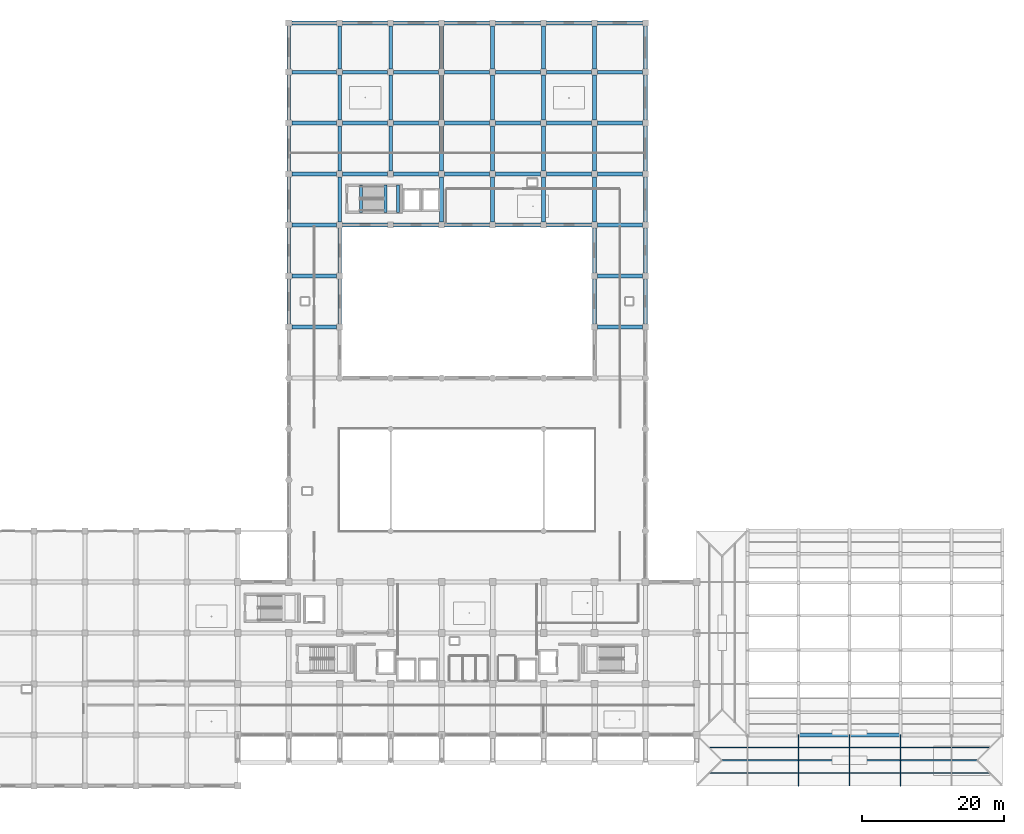
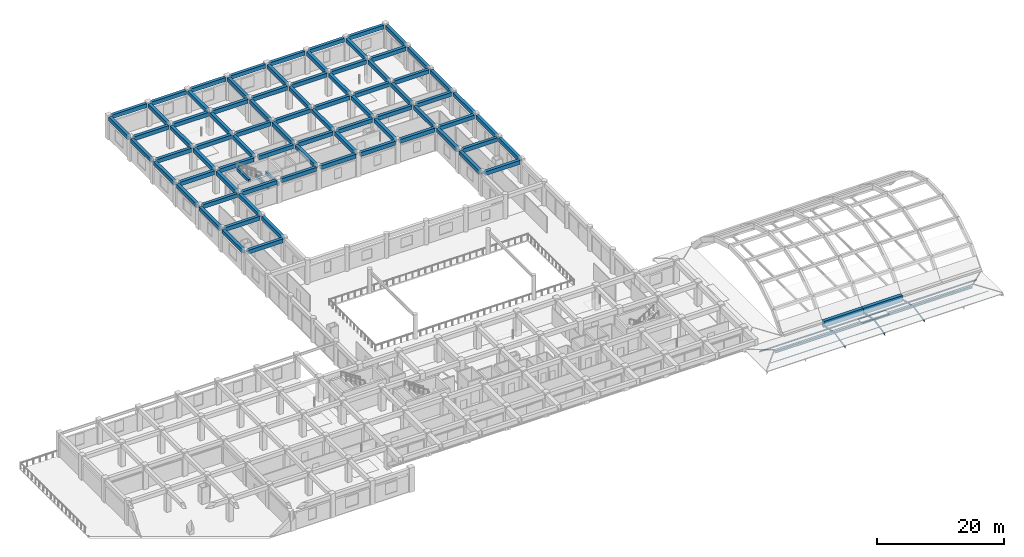
# One storey, part 28 of 54: 84 beams, 8 members.
"""IFC4 building model written with IfcOpenShell, lengths in metres."""

from ifc_helpers import new_model, si_unit, direction, frame, origin, origin_2d, place, context, subcontext, project, spatial, rectangle, hollow_circle, i_section, extrude, material, material_profile, profile_set, type_object, element, save


model = new_model("IFC4")

# Units and contexts
model_context = context("Model", 3, precision=1e-05, world=origin(), true_north=direction((0.0, 1.0)))
body_context = subcontext(model_context, "Body", "Model", "MODEL_VIEW")
ifc_project = project(units=[si_unit("LENGTHUNIT", "METRE"), si_unit("AREAUNIT", "SQUARE_METRE"), si_unit("VOLUMEUNIT", "CUBIC_METRE"), si_unit("PLANEANGLEUNIT", "RADIAN"), si_unit("MASSUNIT", "GRAM", prefix="KILO")], contexts=[model_context])

# Site, building, storey
site_placement = place(None, origin())
site = spatial("IfcSite", under=ifc_project, at=site_placement, CompositionType="ELEMENT")
building_placement = place(site_placement, origin())
building = spatial("IfcBuilding", under=site, at=building_placement, Name="Kazehaya Institute of Natural Sciences", CompositionType="ELEMENT")
storey_placement = place(building_placement, frame((0.0, 0.0, 10.43994140625)))
storey = spatial("IfcBuildingStorey", under=building, at=storey_placement, Name="L02", CompositionType="ELEMENT", Elevation=10.43994140625)

# Beams
ifc_material_1 = material(Name="Concrete Fc36", Category="concrete")
ifc_material_profile_1 = material_profile(ifc_material_1, rectangle(XDim=0.39990234375, YDim=0.60009765625, at=origin_2d()), Name="RC-400x600")
ifc_profile_set_1 = profile_set([ifc_material_profile_1], Name="Concrete Fc36")
beam_type_1 = type_object("IfcBeamType", Name="BM-B-400x600", PredefinedType="BEAM", material=ifc_profile_set_1)
for number, where, z_axis, x_axis, name in (
    (1, (72.0, 87.820068359375, 4.380126953125), (0.0, 1.0, 0.0), (-1.0, 0.0, 0.0), "L03 ST-3 stair header trimmer beam"),
    (2, (75.469970703125, 87.820068359375, 1.880126953125), (0.0, 1.0, 0.0), (-1.0, 0.0, 0.0), "L02 ST-3 landing beam 1"),
    (3, (77.25, 87.820068359375, 1.880126953125), (0.0, 1.0, 0.0), (-1.0, 0.0, 0.0), "L02 ST-3 landing beam 2"),
):
    element("IfcBeam", number, at=place(storey_placement, frame(where, z_axis=z_axis, x_axis=x_axis)), inside=storey, type_object=beam_type_1, Name=name, PredefinedType="BEAM", context=body_context, shape_type="SweptSolid", body=[
        extrude(rectangle(XDim=0.39990234375, YDim=0.60009765625, at=origin_2d()), origin(), (0.0, 0.0, 1.0), 3.83984375),
    ])
ifc_material_profile_2 = material_profile(ifc_material_1, rectangle(XDim=0.60009765625, YDim=1.199951171875, at=origin_2d()), Name="RC-600x1200")
ifc_profile_set_2 = profile_set([ifc_material_profile_2], Name="Concrete Fc36")
beam_type_2 = type_object("IfcBeamType", Name="BM-EB-600x1200", PredefinedType="BEAM", material=ifc_profile_set_2)
for number, where, z_axis, x_axis, name in (
    (4, (133.800048828125, 14.0, 0.0), (1.0, 0.0, 0.0), (0.0, 1.0, 0.0), "SH-VOL1 centroidal shell edge beam SH-VOL1-EB-S-2222"),
    (5, (141.0, 14.0, 0.0), (1.0, 0.0, 0.0), (0.0, 1.0, 0.0), "SH-VOL1 centroidal shell edge beam SH-VOL1-EB-S-2230"),
):
    element("IfcBeam", number, at=place(storey_placement, frame(where, z_axis=z_axis, x_axis=x_axis)), inside=storey, type_object=beam_type_2, Name=name, PredefinedType="BEAM", context=body_context, shape_type="SweptSolid", body=[
        extrude(rectangle(XDim=0.60009765625, YDim=1.199951171875, at=origin_2d()), origin(), (0.0, 0.0, 1.0), 7.199951171875),
    ])
ifc_material_profile_3 = material_profile(ifc_material_1, rectangle(XDim=0.550048828125, YDim=0.75, at=origin_2d()), Name="RC-550x750")
ifc_profile_set_3 = profile_set([ifc_material_profile_3], Name="Concrete Fc36")
beam_type_3 = type_object("IfcBeamType", Name="BM-G-550x750", PredefinedType="BEAM", material=ifc_profile_set_3)
for number, where, z_axis, x_axis, name in (
    (6, (62.22509765625, 71.60009765625, 4.03515625), (1.0, 0.0, 0.0), (0.0, 1.0, 0.0), "L02 primary X girder BMX-L02-618-716"),
    (7, (105.425048828125, 71.60009765625, 4.03515625), (1.0, 0.0, 0.0), (0.0, 1.0, 0.0), "L02 primary X girder BMX-L02-1050-716"),
    (8, (62.22509765625, 78.800048828125, 4.03515625), (1.0, 0.0, 0.0), (0.0, 1.0, 0.0), "L02 primary X girder BMX-L02-618-788"),
    (9, (105.425048828125, 78.800048828125, 4.03515625), (1.0, 0.0, 0.0), (0.0, 1.0, 0.0), "L02 primary X girder BMX-L02-1050-788"),
    (10, (62.22509765625, 86.0, 4.03515625), (1.0, 0.0, 0.0), (0.0, 1.0, 0.0), "L02 primary X girder BMX-L02-618-860"),
    (11, (69.425048828125, 86.0, 4.03515625), (1.0, 0.0, 0.0), (0.0, 1.0, 0.0), "L02 primary X girder BMX-L02-690-860"),
):
    element("IfcBeam", number, at=place(storey_placement, frame(where, z_axis=z_axis, x_axis=x_axis)), inside=storey, type_object=beam_type_3, Name=name, PredefinedType="BEAM", context=body_context, shape_type="SweptSolid", body=[
        extrude(rectangle(XDim=0.550048828125, YDim=0.75, at=origin_2d()), origin(), (0.0, 0.0, 1.0), 6.349853515625),
    ])
for number, where, z_axis, x_axis, name in (
    (12, (76.625, 86.0, 4.03515625), (1.0, 0.0, 0.0), (0.0, 1.0, 0.0), "L02 primary X girder BMX-L02-762-860"),
    (13, (83.824951171875, 86.0, 4.03515625), (1.0, 0.0, 0.0), (0.0, 1.0, 0.0), "L02 primary X girder BMX-L02-834-860"),
    (14, (91.02490234375, 86.0, 4.03515625), (1.0, 0.0, 0.0), (0.0, 1.0, 0.0), "L02 primary X girder BMX-L02-906-860"),
):
    element("IfcBeam", number, at=place(storey_placement, frame(where, z_axis=z_axis, x_axis=x_axis)), inside=storey, type_object=beam_type_3, Name=name, PredefinedType="BEAM", context=body_context, shape_type="SweptSolid", body=[
        extrude(rectangle(XDim=0.550048828125, YDim=0.75, at=origin_2d()), origin(), (0.0, 0.0, 1.0), 6.35009765625),
    ])
for number, where, z_axis, x_axis, name in (
    (15, (98.22509765625, 86.0, 4.03515625), (1.0, 0.0, 0.0), (0.0, 1.0, 0.0), "L02 primary X girder BMX-L02-978-860"),
    (16, (105.425048828125, 86.0, 4.03515625), (1.0, 0.0, 0.0), (0.0, 1.0, 0.0), "L02 primary X girder BMX-L02-1050-860"),
    (17, (62.22509765625, 93.199951171875, 4.03515625), (1.0, 0.0, 0.0), (0.0, 1.0, 0.0), "L02 primary X girder BMX-L02-618-932"),
    (18, (69.425048828125, 93.199951171875, 4.03515625), (1.0, 0.0, 0.0), (0.0, 1.0, 0.0), "L02 primary X girder BMX-L02-690-932"),
):
    element("IfcBeam", number, at=place(storey_placement, frame(where, z_axis=z_axis, x_axis=x_axis)), inside=storey, type_object=beam_type_3, Name=name, PredefinedType="BEAM", context=body_context, shape_type="SweptSolid", body=[
        extrude(rectangle(XDim=0.550048828125, YDim=0.75, at=origin_2d()), origin(), (0.0, 0.0, 1.0), 6.349853515625),
    ])
for number, where, z_axis, x_axis, name in (
    (19, (76.625, 93.199951171875, 4.03515625), (1.0, 0.0, 0.0), (0.0, 1.0, 0.0), "L02 primary X girder BMX-L02-762-932"),
    (20, (83.824951171875, 93.199951171875, 4.03515625), (1.0, 0.0, 0.0), (0.0, 1.0, 0.0), "L02 primary X girder BMX-L02-834-932"),
    (21, (91.02490234375, 93.199951171875, 4.03515625), (1.0, 0.0, 0.0), (0.0, 1.0, 0.0), "L02 primary X girder BMX-L02-906-932"),
):
    element("IfcBeam", number, at=place(storey_placement, frame(where, z_axis=z_axis, x_axis=x_axis)), inside=storey, type_object=beam_type_3, Name=name, PredefinedType="BEAM", context=body_context, shape_type="SweptSolid", body=[
        extrude(rectangle(XDim=0.550048828125, YDim=0.75, at=origin_2d()), origin(), (0.0, 0.0, 1.0), 6.35009765625),
    ])
for number, where, z_axis, x_axis, name in (
    (22, (98.22509765625, 93.199951171875, 4.03515625), (1.0, 0.0, 0.0), (0.0, 1.0, 0.0), "L02 primary X girder BMX-L02-978-932"),
    (23, (105.425048828125, 93.199951171875, 4.03515625), (1.0, 0.0, 0.0), (0.0, 1.0, 0.0), "L02 primary X girder BMX-L02-1050-932"),
    (24, (62.22509765625, 100.39990234375, 4.03515625), (1.0, 0.0, 0.0), (0.0, 1.0, 0.0), "L02 primary X girder BMX-L02-618-1004"),
    (25, (69.425048828125, 100.39990234375, 4.03515625), (1.0, 0.0, 0.0), (0.0, 1.0, 0.0), "L02 primary X girder BMX-L02-690-1004"),
):
    element("IfcBeam", number, at=place(storey_placement, frame(where, z_axis=z_axis, x_axis=x_axis)), inside=storey, type_object=beam_type_3, Name=name, PredefinedType="BEAM", context=body_context, shape_type="SweptSolid", body=[
        extrude(rectangle(XDim=0.550048828125, YDim=0.75, at=origin_2d()), origin(), (0.0, 0.0, 1.0), 6.349853515625),
    ])
for number, where, z_axis, x_axis, name in (
    (26, (76.625, 100.39990234375, 4.03515625), (1.0, 0.0, 0.0), (0.0, 1.0, 0.0), "L02 primary X girder BMX-L02-762-1004"),
    (27, (83.824951171875, 100.39990234375, 4.03515625), (1.0, 0.0, 0.0), (0.0, 1.0, 0.0), "L02 primary X girder BMX-L02-834-1004"),
    (28, (91.02490234375, 100.39990234375, 4.03515625), (1.0, 0.0, 0.0), (0.0, 1.0, 0.0), "L02 primary X girder BMX-L02-906-1004"),
):
    element("IfcBeam", number, at=place(storey_placement, frame(where, z_axis=z_axis, x_axis=x_axis)), inside=storey, type_object=beam_type_3, Name=name, PredefinedType="BEAM", context=body_context, shape_type="SweptSolid", body=[
        extrude(rectangle(XDim=0.550048828125, YDim=0.75, at=origin_2d()), origin(), (0.0, 0.0, 1.0), 6.35009765625),
    ])
for number, where, z_axis, x_axis, name in (
    (29, (98.22509765625, 100.39990234375, 4.03515625), (1.0, 0.0, 0.0), (0.0, 1.0, 0.0), "L02 primary X girder BMX-L02-978-1004"),
    (30, (105.425048828125, 100.39990234375, 4.03515625), (1.0, 0.0, 0.0), (0.0, 1.0, 0.0), "L02 primary X girder BMX-L02-1050-1004"),
    (31, (62.22509765625, 107.60009765625, 4.03515625), (1.0, 0.0, 0.0), (0.0, 1.0, 0.0), "L02 primary X girder BMX-L02-618-1076"),
    (32, (69.425048828125, 107.60009765625, 4.03515625), (1.0, 0.0, 0.0), (0.0, 1.0, 0.0), "L02 primary X girder BMX-L02-690-1076"),
):
    element("IfcBeam", number, at=place(storey_placement, frame(where, z_axis=z_axis, x_axis=x_axis)), inside=storey, type_object=beam_type_3, Name=name, PredefinedType="BEAM", context=body_context, shape_type="SweptSolid", body=[
        extrude(rectangle(XDim=0.550048828125, YDim=0.75, at=origin_2d()), origin(), (0.0, 0.0, 1.0), 6.349853515625),
    ])
for number, where, z_axis, x_axis, name in (
    (33, (76.625, 107.60009765625, 4.03515625), (1.0, 0.0, 0.0), (0.0, 1.0, 0.0), "L02 primary X girder BMX-L02-762-1076"),
    (34, (83.824951171875, 107.60009765625, 4.03515625), (1.0, 0.0, 0.0), (0.0, 1.0, 0.0), "L02 primary X girder BMX-L02-834-1076"),
    (35, (91.02490234375, 107.60009765625, 4.03515625), (1.0, 0.0, 0.0), (0.0, 1.0, 0.0), "L02 primary X girder BMX-L02-906-1076"),
):
    element("IfcBeam", number, at=place(storey_placement, frame(where, z_axis=z_axis, x_axis=x_axis)), inside=storey, type_object=beam_type_3, Name=name, PredefinedType="BEAM", context=body_context, shape_type="SweptSolid", body=[
        extrude(rectangle(XDim=0.550048828125, YDim=0.75, at=origin_2d()), origin(), (0.0, 0.0, 1.0), 6.35009765625),
    ])
for number, where, z_axis, x_axis, name in (
    (36, (98.22509765625, 107.60009765625, 4.03515625), (1.0, 0.0, 0.0), (0.0, 1.0, 0.0), "L02 primary X girder BMX-L02-978-1076"),
    (37, (105.425048828125, 107.60009765625, 4.03515625), (1.0, 0.0, 0.0), (0.0, 1.0, 0.0), "L02 primary X girder BMX-L02-1050-1076"),
    (38, (62.22509765625, 114.550048828125, 4.03515625), (1.0, 0.0, 0.0), (0.0, 1.0, 0.0), "L02 primary X girder BMX-L02-618-1146"),
    (39, (69.425048828125, 114.550048828125, 4.03515625), (1.0, 0.0, 0.0), (0.0, 1.0, 0.0), "L02 primary X girder BMX-L02-690-1146"),
):
    element("IfcBeam", number, at=place(storey_placement, frame(where, z_axis=z_axis, x_axis=x_axis)), inside=storey, type_object=beam_type_3, Name=name, PredefinedType="BEAM", context=body_context, shape_type="SweptSolid", body=[
        extrude(rectangle(XDim=0.550048828125, YDim=0.75, at=origin_2d()), origin(), (0.0, 0.0, 1.0), 6.349853515625),
    ])
for number, where, z_axis, x_axis, name in (
    (40, (76.625, 114.550048828125, 4.03515625), (1.0, 0.0, 0.0), (0.0, 1.0, 0.0), "L02 primary X girder BMX-L02-762-1146"),
    (41, (83.824951171875, 114.550048828125, 4.03515625), (1.0, 0.0, 0.0), (0.0, 1.0, 0.0), "L02 primary X girder BMX-L02-834-1146"),
    (42, (91.02490234375, 114.550048828125, 4.03515625), (1.0, 0.0, 0.0), (0.0, 1.0, 0.0), "L02 primary X girder BMX-L02-906-1146"),
):
    element("IfcBeam", number, at=place(storey_placement, frame(where, z_axis=z_axis, x_axis=x_axis)), inside=storey, type_object=beam_type_3, Name=name, PredefinedType="BEAM", context=body_context, shape_type="SweptSolid", body=[
        extrude(rectangle(XDim=0.550048828125, YDim=0.75, at=origin_2d()), origin(), (0.0, 0.0, 1.0), 6.35009765625),
    ])
for number, where, z_axis, x_axis, name in (
    (43, (98.22509765625, 114.550048828125, 4.03515625), (1.0, 0.0, 0.0), (0.0, 1.0, 0.0), "L02 primary X girder BMX-L02-978-1146"),
    (44, (105.425048828125, 114.550048828125, 4.03515625), (1.0, 0.0, 0.0), (0.0, 1.0, 0.0), "L02 primary X girder BMX-L02-1050-1146"),
):
    element("IfcBeam", number, at=place(storey_placement, frame(where, z_axis=z_axis, x_axis=x_axis)), inside=storey, type_object=beam_type_3, Name=name, PredefinedType="BEAM", context=body_context, shape_type="SweptSolid", body=[
        extrude(rectangle(XDim=0.550048828125, YDim=0.75, at=origin_2d()), origin(), (0.0, 0.0, 1.0), 6.349853515625),
    ])
beam_1_placement = place(storey_placement, frame((61.800048828125, 72.02490234375, 4.03515625), z_axis=(0.0, 1.0, 0.0), x_axis=(-1.0, 0.0, 0.0)))
element("IfcBeam", 45, at=beam_1_placement, inside=storey, type_object=beam_type_3, Name="L02 primary Y girder BMY-L02-618-716", PredefinedType="BEAM", context=body_context, shape_type="SweptSolid", body=[
    extrude(rectangle(XDim=0.550048828125, YDim=0.75, at=origin_2d()), origin(), (0.0, 0.0, 1.0), 6.35009765625),
])
for number, where, z_axis, x_axis, name in (
    (46, (61.800048828125, 79.22509765625, 4.03515625), (0.0, 1.0, 0.0), (-1.0, 0.0, 0.0), "L02 primary Y girder BMY-L02-618-788"),
    (47, (61.800048828125, 86.425048828125, 4.03515625), (0.0, 1.0, 0.0), (-1.0, 0.0, 0.0), "L02 primary Y girder BMY-L02-618-860"),
):
    element("IfcBeam", number, at=place(storey_placement, frame(where, z_axis=z_axis, x_axis=x_axis)), inside=storey, type_object=beam_type_3, Name=name, PredefinedType="BEAM", context=body_context, shape_type="SweptSolid", body=[
        extrude(rectangle(XDim=0.550048828125, YDim=0.75, at=origin_2d()), origin(), (0.0, 0.0, 1.0), 6.349853515625),
    ])
for number, where, z_axis, x_axis, name in (
    (48, (61.800048828125, 93.625, 4.03515625), (0.0, 1.0, 0.0), (-1.0, 0.0, 0.0), "L02 primary Y girder BMY-L02-618-932"),
    (49, (61.800048828125, 100.824951171875, 4.03515625), (0.0, 1.0, 0.0), (-1.0, 0.0, 0.0), "L02 primary Y girder BMY-L02-618-1004"),
):
    element("IfcBeam", number, at=place(storey_placement, frame(where, z_axis=z_axis, x_axis=x_axis)), inside=storey, type_object=beam_type_3, Name=name, PredefinedType="BEAM", context=body_context, shape_type="SweptSolid", body=[
        extrude(rectangle(XDim=0.550048828125, YDim=0.75, at=origin_2d()), origin(), (0.0, 0.0, 1.0), 6.35009765625),
    ])
beam_2_placement = place(storey_placement, frame((61.800048828125, 108.02490234375, 4.03515625), z_axis=(0.0, 1.0, 0.0), x_axis=(-1.0, 0.0, 0.0)))
element("IfcBeam", 50, at=beam_2_placement, inside=storey, type_object=beam_type_3, Name="L02 primary Y girder BMY-L02-618-1076", PredefinedType="BEAM", context=body_context, shape_type="SweptSolid", body=[
    extrude(rectangle(XDim=0.550048828125, YDim=0.75, at=origin_2d()), origin(), (0.0, 0.0, 1.0), 6.10009765625),
])
beam_3_placement = place(storey_placement, frame((69.0, 72.02490234375, 4.03515625), z_axis=(0.0, 1.0, 0.0), x_axis=(-1.0, 0.0, 0.0)))
element("IfcBeam", 51, at=beam_3_placement, inside=storey, type_object=beam_type_3, Name="L02 primary Y girder BMY-L02-690-716", PredefinedType="BEAM", context=body_context, shape_type="SweptSolid", body=[
    extrude(rectangle(XDim=0.550048828125, YDim=0.75, at=origin_2d()), origin(), (0.0, 0.0, 1.0), 6.35009765625),
])
for number, where, z_axis, x_axis, name in (
    (52, (69.0, 79.22509765625, 4.03515625), (0.0, 1.0, 0.0), (-1.0, 0.0, 0.0), "L02 primary Y girder BMY-L02-690-788"),
    (53, (69.0, 86.425048828125, 4.03515625), (0.0, 1.0, 0.0), (-1.0, 0.0, 0.0), "L02 primary Y girder BMY-L02-690-860"),
):
    element("IfcBeam", number, at=place(storey_placement, frame(where, z_axis=z_axis, x_axis=x_axis)), inside=storey, type_object=beam_type_3, Name=name, PredefinedType="BEAM", context=body_context, shape_type="SweptSolid", body=[
        extrude(rectangle(XDim=0.550048828125, YDim=0.75, at=origin_2d()), origin(), (0.0, 0.0, 1.0), 6.349853515625),
    ])
for number, where, z_axis, x_axis, name in (
    (54, (69.0, 93.625, 4.03515625), (0.0, 1.0, 0.0), (-1.0, 0.0, 0.0), "L02 primary Y girder BMY-L02-690-932"),
    (55, (69.0, 100.824951171875, 4.03515625), (0.0, 1.0, 0.0), (-1.0, 0.0, 0.0), "L02 primary Y girder BMY-L02-690-1004"),
):
    element("IfcBeam", number, at=place(storey_placement, frame(where, z_axis=z_axis, x_axis=x_axis)), inside=storey, type_object=beam_type_3, Name=name, PredefinedType="BEAM", context=body_context, shape_type="SweptSolid", body=[
        extrude(rectangle(XDim=0.550048828125, YDim=0.75, at=origin_2d()), origin(), (0.0, 0.0, 1.0), 6.35009765625),
    ])
beam_4_placement = place(storey_placement, frame((69.0, 108.02490234375, 4.03515625), z_axis=(0.0, 1.0, 0.0), x_axis=(-1.0, 0.0, 0.0)))
element("IfcBeam", 56, at=beam_4_placement, inside=storey, type_object=beam_type_3, Name="L02 primary Y girder BMY-L02-690-1076", PredefinedType="BEAM", context=body_context, shape_type="SweptSolid", body=[
    extrude(rectangle(XDim=0.550048828125, YDim=0.75, at=origin_2d()), origin(), (0.0, 0.0, 1.0), 6.10009765625),
])
for number, where, z_axis, x_axis, name in (
    (57, (76.199951171875, 93.625, 4.03515625), (0.0, 1.0, 0.0), (-1.0, 0.0, 0.0), "L02 primary Y girder BMY-L02-762-932"),
    (58, (76.199951171875, 100.824951171875, 4.03515625), (0.0, 1.0, 0.0), (-1.0, 0.0, 0.0), "L02 primary Y girder BMY-L02-762-1004"),
):
    element("IfcBeam", number, at=place(storey_placement, frame(where, z_axis=z_axis, x_axis=x_axis)), inside=storey, type_object=beam_type_3, Name=name, PredefinedType="BEAM", context=body_context, shape_type="SweptSolid", body=[
        extrude(rectangle(XDim=0.550048828125, YDim=0.75, at=origin_2d()), origin(), (0.0, 0.0, 1.0), 6.35009765625),
    ])
beam_5_placement = place(storey_placement, frame((76.199951171875, 108.02490234375, 4.03515625), z_axis=(0.0, 1.0, 0.0), x_axis=(-1.0, 0.0, 0.0)))
element("IfcBeam", 59, at=beam_5_placement, inside=storey, type_object=beam_type_3, Name="L02 primary Y girder BMY-L02-762-1076", PredefinedType="BEAM", context=body_context, shape_type="SweptSolid", body=[
    extrude(rectangle(XDim=0.550048828125, YDim=0.75, at=origin_2d()), origin(), (0.0, 0.0, 1.0), 6.10009765625),
])
beam_6_placement = place(storey_placement, frame((83.39990234375, 86.425048828125, 4.03515625), z_axis=(0.0, 1.0, 0.0), x_axis=(-1.0, 0.0, 0.0)))
element("IfcBeam", 60, at=beam_6_placement, inside=storey, type_object=beam_type_3, Name="L02 primary Y girder BMY-L02-834-860", PredefinedType="BEAM", context=body_context, shape_type="SweptSolid", body=[
    extrude(rectangle(XDim=0.550048828125, YDim=0.75, at=origin_2d()), origin(), (0.0, 0.0, 1.0), 6.349853515625),
])
for number, where, z_axis, x_axis, name in (
    (61, (83.39990234375, 93.625, 4.03515625), (0.0, 1.0, 0.0), (-1.0, 0.0, 0.0), "L02 primary Y girder BMY-L02-834-932"),
    (62, (83.39990234375, 100.824951171875, 4.03515625), (0.0, 1.0, 0.0), (-1.0, 0.0, 0.0), "L02 primary Y girder BMY-L02-834-1004"),
):
    element("IfcBeam", number, at=place(storey_placement, frame(where, z_axis=z_axis, x_axis=x_axis)), inside=storey, type_object=beam_type_3, Name=name, PredefinedType="BEAM", context=body_context, shape_type="SweptSolid", body=[
        extrude(rectangle(XDim=0.550048828125, YDim=0.75, at=origin_2d()), origin(), (0.0, 0.0, 1.0), 6.35009765625),
    ])
beam_7_placement = place(storey_placement, frame((83.39990234375, 108.02490234375, 4.03515625), z_axis=(0.0, 1.0, 0.0), x_axis=(-1.0, 0.0, 0.0)))
element("IfcBeam", 63, at=beam_7_placement, inside=storey, type_object=beam_type_3, Name="L02 primary Y girder BMY-L02-834-1076", PredefinedType="BEAM", context=body_context, shape_type="SweptSolid", body=[
    extrude(rectangle(XDim=0.550048828125, YDim=0.75, at=origin_2d()), origin(), (0.0, 0.0, 1.0), 6.10009765625),
])
beam_8_placement = place(storey_placement, frame((90.60009765625, 86.425048828125, 4.03515625), z_axis=(0.0, 1.0, 0.0), x_axis=(-1.0, 0.0, 0.0)))
element("IfcBeam", 64, at=beam_8_placement, inside=storey, type_object=beam_type_3, Name="L02 primary Y girder BMY-L02-906-860", PredefinedType="BEAM", context=body_context, shape_type="SweptSolid", body=[
    extrude(rectangle(XDim=0.550048828125, YDim=0.75, at=origin_2d()), origin(), (0.0, 0.0, 1.0), 6.349853515625),
])
for number, where, z_axis, x_axis, name in (
    (65, (90.60009765625, 93.625, 4.03515625), (0.0, 1.0, 0.0), (-1.0, 0.0, 0.0), "L02 primary Y girder BMY-L02-906-932"),
    (66, (90.60009765625, 100.824951171875, 4.03515625), (0.0, 1.0, 0.0), (-1.0, 0.0, 0.0), "L02 primary Y girder BMY-L02-906-1004"),
):
    element("IfcBeam", number, at=place(storey_placement, frame(where, z_axis=z_axis, x_axis=x_axis)), inside=storey, type_object=beam_type_3, Name=name, PredefinedType="BEAM", context=body_context, shape_type="SweptSolid", body=[
        extrude(rectangle(XDim=0.550048828125, YDim=0.75, at=origin_2d()), origin(), (0.0, 0.0, 1.0), 6.35009765625),
    ])
beam_9_placement = place(storey_placement, frame((90.60009765625, 108.02490234375, 4.03515625), z_axis=(0.0, 1.0, 0.0), x_axis=(-1.0, 0.0, 0.0)))
element("IfcBeam", 67, at=beam_9_placement, inside=storey, type_object=beam_type_3, Name="L02 primary Y girder BMY-L02-906-1076", PredefinedType="BEAM", context=body_context, shape_type="SweptSolid", body=[
    extrude(rectangle(XDim=0.550048828125, YDim=0.75, at=origin_2d()), origin(), (0.0, 0.0, 1.0), 6.10009765625),
])
beam_10_placement = place(storey_placement, frame((97.800048828125, 86.425048828125, 4.03515625), z_axis=(0.0, 1.0, 0.0), x_axis=(-1.0, 0.0, 0.0)))
element("IfcBeam", 68, at=beam_10_placement, inside=storey, type_object=beam_type_3, Name="L02 primary Y girder BMY-L02-978-860", PredefinedType="BEAM", context=body_context, shape_type="SweptSolid", body=[
    extrude(rectangle(XDim=0.550048828125, YDim=0.75, at=origin_2d()), origin(), (0.0, 0.0, 1.0), 6.349853515625),
])
for number, where, z_axis, x_axis, name in (
    (69, (97.800048828125, 93.625, 4.03515625), (0.0, 1.0, 0.0), (-1.0, 0.0, 0.0), "L02 primary Y girder BMY-L02-978-932"),
    (70, (97.800048828125, 100.824951171875, 4.03515625), (0.0, 1.0, 0.0), (-1.0, 0.0, 0.0), "L02 primary Y girder BMY-L02-978-1004"),
):
    element("IfcBeam", number, at=place(storey_placement, frame(where, z_axis=z_axis, x_axis=x_axis)), inside=storey, type_object=beam_type_3, Name=name, PredefinedType="BEAM", context=body_context, shape_type="SweptSolid", body=[
        extrude(rectangle(XDim=0.550048828125, YDim=0.75, at=origin_2d()), origin(), (0.0, 0.0, 1.0), 6.35009765625),
    ])
beam_11_placement = place(storey_placement, frame((97.800048828125, 108.02490234375, 4.03515625), z_axis=(0.0, 1.0, 0.0), x_axis=(-1.0, 0.0, 0.0)))
element("IfcBeam", 71, at=beam_11_placement, inside=storey, type_object=beam_type_3, Name="L02 primary Y girder BMY-L02-978-1076", PredefinedType="BEAM", context=body_context, shape_type="SweptSolid", body=[
    extrude(rectangle(XDim=0.550048828125, YDim=0.75, at=origin_2d()), origin(), (0.0, 0.0, 1.0), 6.10009765625),
])
beam_12_placement = place(storey_placement, frame((105.0, 72.02490234375, 4.03515625), z_axis=(0.0, 1.0, 0.0), x_axis=(-1.0, 0.0, 0.0)))
element("IfcBeam", 72, at=beam_12_placement, inside=storey, type_object=beam_type_3, Name="L02 primary Y girder BMY-L02-1050-716", PredefinedType="BEAM", context=body_context, shape_type="SweptSolid", body=[
    extrude(rectangle(XDim=0.550048828125, YDim=0.75, at=origin_2d()), origin(), (0.0, 0.0, 1.0), 6.35009765625),
])
for number, where, z_axis, x_axis, name in (
    (73, (105.0, 79.22509765625, 4.03515625), (0.0, 1.0, 0.0), (-1.0, 0.0, 0.0), "L02 primary Y girder BMY-L02-1050-788"),
    (74, (105.0, 86.425048828125, 4.03515625), (0.0, 1.0, 0.0), (-1.0, 0.0, 0.0), "L02 primary Y girder BMY-L02-1050-860"),
):
    element("IfcBeam", number, at=place(storey_placement, frame(where, z_axis=z_axis, x_axis=x_axis)), inside=storey, type_object=beam_type_3, Name=name, PredefinedType="BEAM", context=body_context, shape_type="SweptSolid", body=[
        extrude(rectangle(XDim=0.550048828125, YDim=0.75, at=origin_2d()), origin(), (0.0, 0.0, 1.0), 6.349853515625),
    ])
for number, where, z_axis, x_axis, name in (
    (75, (105.0, 93.625, 4.03515625), (0.0, 1.0, 0.0), (-1.0, 0.0, 0.0), "L02 primary Y girder BMY-L02-1050-932"),
    (76, (105.0, 100.824951171875, 4.03515625), (0.0, 1.0, 0.0), (-1.0, 0.0, 0.0), "L02 primary Y girder BMY-L02-1050-1004"),
):
    element("IfcBeam", number, at=place(storey_placement, frame(where, z_axis=z_axis, x_axis=x_axis)), inside=storey, type_object=beam_type_3, Name=name, PredefinedType="BEAM", context=body_context, shape_type="SweptSolid", body=[
        extrude(rectangle(XDim=0.550048828125, YDim=0.75, at=origin_2d()), origin(), (0.0, 0.0, 1.0), 6.35009765625),
    ])
beam_13_placement = place(storey_placement, frame((105.0, 108.02490234375, 4.03515625), z_axis=(0.0, 1.0, 0.0), x_axis=(-1.0, 0.0, 0.0)))
element("IfcBeam", 77, at=beam_13_placement, inside=storey, type_object=beam_type_3, Name="L02 primary Y girder BMY-L02-1050-1076", PredefinedType="BEAM", context=body_context, shape_type="SweptSolid", body=[
    extrude(rectangle(XDim=0.550048828125, YDim=0.75, at=origin_2d()), origin(), (0.0, 0.0, 1.0), 6.10009765625),
])
beam_14_placement = place(storey_placement, frame((112.199951171875, 72.02490234375, 4.03515625), z_axis=(0.0, 1.0, 0.0), x_axis=(-1.0, 0.0, 0.0)))
element("IfcBeam", 78, at=beam_14_placement, inside=storey, type_object=beam_type_3, Name="L02 primary Y girder BMY-L02-1122-716", PredefinedType="BEAM", context=body_context, shape_type="SweptSolid", body=[
    extrude(rectangle(XDim=0.550048828125, YDim=0.75, at=origin_2d()), origin(), (0.0, 0.0, 1.0), 6.35009765625),
])
for number, where, z_axis, x_axis, name in (
    (79, (112.199951171875, 79.22509765625, 4.03515625), (0.0, 1.0, 0.0), (-1.0, 0.0, 0.0), "L02 primary Y girder BMY-L02-1122-788"),
    (80, (112.199951171875, 86.425048828125, 4.03515625), (0.0, 1.0, 0.0), (-1.0, 0.0, 0.0), "L02 primary Y girder BMY-L02-1122-860"),
):
    element("IfcBeam", number, at=place(storey_placement, frame(where, z_axis=z_axis, x_axis=x_axis)), inside=storey, type_object=beam_type_3, Name=name, PredefinedType="BEAM", context=body_context, shape_type="SweptSolid", body=[
        extrude(rectangle(XDim=0.550048828125, YDim=0.75, at=origin_2d()), origin(), (0.0, 0.0, 1.0), 6.349853515625),
    ])
for number, where, z_axis, x_axis, name in (
    (81, (112.199951171875, 93.625, 4.03515625), (0.0, 1.0, 0.0), (-1.0, 0.0, 0.0), "L02 primary Y girder BMY-L02-1122-932"),
    (82, (112.199951171875, 100.824951171875, 4.03515625), (0.0, 1.0, 0.0), (-1.0, 0.0, 0.0), "L02 primary Y girder BMY-L02-1122-1004"),
):
    element("IfcBeam", number, at=place(storey_placement, frame(where, z_axis=z_axis, x_axis=x_axis)), inside=storey, type_object=beam_type_3, Name=name, PredefinedType="BEAM", context=body_context, shape_type="SweptSolid", body=[
        extrude(rectangle(XDim=0.550048828125, YDim=0.75, at=origin_2d()), origin(), (0.0, 0.0, 1.0), 6.35009765625),
    ])
beam_15_placement = place(storey_placement, frame((112.199951171875, 108.02490234375, 4.03515625), z_axis=(0.0, 1.0, 0.0), x_axis=(-1.0, 0.0, 0.0)))
element("IfcBeam", 83, at=beam_15_placement, inside=storey, type_object=beam_type_3, Name="L02 primary Y girder BMY-L02-1122-1076", PredefinedType="BEAM", context=body_context, shape_type="SweptSolid", body=[
    extrude(rectangle(XDim=0.550048828125, YDim=0.75, at=origin_2d()), origin(), (0.0, 0.0, 1.0), 6.10009765625),
])
ifc_material_2 = material(Name="Structural steel SN490B", Category="steel")
ifc_material_profile_4 = material_profile(ifc_material_2, i_section(OverallWidth=0.199951171875, OverallDepth=0.449951171875, WebThickness=0.009033203125, FlangeThickness=0.013916015625, FilletRadius=0.01611328125, at=origin_2d()), Name="H-450x200x9x14")
ifc_profile_set_4 = profile_set([ifc_material_profile_4], Name="Structural steel SN490B")
beam_type_4 = type_object("IfcBeamType", Name="BM-STL-H450", PredefinedType="BEAM", material=ifc_profile_set_4)
beam_16_placement = place(storey_placement, frame((123.0, 10.39990234375, 0.51806640625), z_axis=(1.0, 0.0, 0.0), x_axis=(0.0, 1.0, 0.0)))
element("IfcBeam", 84, at=beam_16_placement, inside=storey, type_object=beam_type_4, Name="ROOF-VOL1-FOYER steel ridge girder", PredefinedType="BEAM", context=body_context, shape_type="SweptSolid", body=[
    extrude(i_section(OverallWidth=0.199951171875, OverallDepth=0.449951171875, WebThickness=0.009033203125, FlangeThickness=0.013916015625, FilletRadius=0.01611328125, at=origin_2d()), origin(), (0.0, 0.0, 1.0), 36.0),
])

# Members
ifc_material_profile_5 = material_profile(ifc_material_2, hollow_circle(Radius=0.08251953125, WallThickness=0.006103515625, at=origin_2d()), Name="CHS-165.2x6.0")
ifc_profile_set_5 = profile_set([ifc_material_profile_5], Name="Structural steel SN490B")
member_type_1 = type_object("IfcMemberType", Name="MEM-PUR-CHS165", PredefinedType="PURLIN", material=ifc_profile_set_5)
member_1_placement = place(storey_placement, frame((121.199951171875, 8.60009765625, 0.129150390625), z_axis=(1.0, 0.0, 0.0), x_axis=(0.0, 1.0, 0.0)))
element("IfcMember", 85, at=member_1_placement, inside=storey, type_object=member_type_1, Name="ROOF-VOL1-FOYER roof purlin 3", PredefinedType="PURLIN", context=body_context, shape_type="SweptSolid", body=[
    extrude(hollow_circle(Radius=0.08251953125, WallThickness=0.006103515625, at=origin_2d()), origin(), (0.0, 0.0, 1.0), 39.60009765625),
])
ifc_material_profile_6 = material_profile(ifc_material_2, i_section(OverallWidth=0.10009765625, OverallDepth=0.199951171875, WebThickness=0.005615234375, FlangeThickness=0.008056640625, FilletRadius=0.008056640625, at=origin_2d()), Name="H-200x100x5.5x8")
ifc_profile_set_6 = profile_set([ifc_material_profile_6], Name="Structural steel SN490B")
member_type_2 = type_object("IfcMemberType", Name="MEM-PUR-H200", PredefinedType="PURLIN", material=ifc_profile_set_6)
member_2_placement = place(storey_placement, frame((121.199951171875, 12.199951171875, 0.129150390625), z_axis=(1.0, 0.0, 0.0), x_axis=(0.0, 1.0, 0.0)))
element("IfcMember", 86, at=member_2_placement, inside=storey, type_object=member_type_2, Name="ROOF-VOL1-FOYER roof purlin 4", PredefinedType="PURLIN", context=body_context, shape_type="SweptSolid", body=[
    extrude(i_section(OverallWidth=0.10009765625, OverallDepth=0.199951171875, WebThickness=0.005615234375, FlangeThickness=0.008056640625, FilletRadius=0.008056640625, at=origin_2d()), origin(), (0.0, 0.0, 1.0), 39.60009765625),
])
ifc_material_profile_7 = material_profile(ifc_material_2, i_section(OverallWidth=0.125, OverallDepth=0.25, WebThickness=0.006103515625, FlangeThickness=0.009033203125, FilletRadius=0.010009765625, at=origin_2d()), Name="H-250x125x6x9")
ifc_profile_set_7 = profile_set([ifc_material_profile_7], Name="Structural steel SN490B")
member_type_3 = type_object("IfcMemberType", Name="MEM-RAF-H250", PredefinedType="RAFTER", material=ifc_profile_set_7)
member_3_placement = place(storey_placement, frame((133.800048828125, 6.800048828125, -0.25), z_axis=(0.0, 0.97798742259, 0.208663847505), x_axis=(-1.0, 0.0, 0.0)))
element("IfcMember", 87, at=member_3_placement, inside=storey, type_object=member_type_3, Name="ROOF-VOL1-FOYER roof truss rafter 19", PredefinedType="RAFTER", context=body_context, shape_type="SweptSolid", body=[
    extrude(i_section(OverallWidth=0.125, OverallDepth=0.25, WebThickness=0.006103515625, FlangeThickness=0.009033203125, FilletRadius=0.010009765625, at=origin_2d()), origin(), (0.0, 0.0, 1.0), 3.680908203125),
])
member_4_placement = place(storey_placement, frame((133.800048828125, 14.0, -0.25), z_axis=(0.0, -0.977990310214, 0.20865031303), x_axis=(1.0, 0.0, 0.0)))
element("IfcMember", 88, at=member_4_placement, inside=storey, type_object=member_type_3, Name="ROOF-VOL1-FOYER roof truss rafter 20", PredefinedType="RAFTER", context=body_context, shape_type="SweptSolid", body=[
    extrude(i_section(OverallWidth=0.125, OverallDepth=0.25, WebThickness=0.006103515625, FlangeThickness=0.009033203125, FilletRadius=0.010009765625, at=origin_2d()), origin(), (0.0, 0.0, 1.0), 3.68115234375),
])
member_5_placement = place(storey_placement, frame((148.199951171875, 6.800048828125, -0.25), z_axis=(0.0, 0.97798742259, 0.208663847505), x_axis=(-1.0, 0.0, 0.0)))
element("IfcMember", 89, at=member_5_placement, inside=storey, type_object=member_type_3, Name="ROOF-VOL1-FOYER roof truss rafter 23", PredefinedType="RAFTER", context=body_context, shape_type="SweptSolid", body=[
    extrude(i_section(OverallWidth=0.125, OverallDepth=0.25, WebThickness=0.006103515625, FlangeThickness=0.009033203125, FilletRadius=0.010009765625, at=origin_2d()), origin(), (0.0, 0.0, 1.0), 3.680908203125),
])
member_6_placement = place(storey_placement, frame((148.199951171875, 14.0, -0.25), z_axis=(0.0, -0.977990310214, 0.20865031303), x_axis=(1.0, 0.0, 0.0)))
element("IfcMember", 90, at=member_6_placement, inside=storey, type_object=member_type_3, Name="ROOF-VOL1-FOYER roof truss rafter 24", PredefinedType="RAFTER", context=body_context, shape_type="SweptSolid", body=[
    extrude(i_section(OverallWidth=0.125, OverallDepth=0.25, WebThickness=0.006103515625, FlangeThickness=0.009033203125, FilletRadius=0.010009765625, at=origin_2d()), origin(), (0.0, 0.0, 1.0), 3.68115234375),
])
ifc_material_profile_8 = material_profile(ifc_material_2, i_section(OverallWidth=0.14990234375, OverallDepth=0.300048828125, WebThickness=0.006591796875, FlangeThickness=0.009033203125, FilletRadius=0.012939453125, at=origin_2d()), Name="H-300x150x6.5x9")
ifc_profile_set_8 = profile_set([ifc_material_profile_8], Name="Structural steel SN490B")
member_type_4 = type_object("IfcMemberType", Name="MEM-RAF-H300", PredefinedType="RAFTER", material=ifc_profile_set_8)
member_7_placement = place(storey_placement, frame((141.0, 6.800048828125, -0.25), z_axis=(0.0, 0.97798742259, 0.208663847505), x_axis=(-1.0, 0.0, 0.0)))
element("IfcMember", 91, at=member_7_placement, inside=storey, type_object=member_type_4, Name="ROOF-VOL1-FOYER roof truss rafter 21", PredefinedType="RAFTER", context=body_context, shape_type="SweptSolid", body=[
    extrude(i_section(OverallWidth=0.14990234375, OverallDepth=0.300048828125, WebThickness=0.006591796875, FlangeThickness=0.009033203125, FilletRadius=0.012939453125, at=origin_2d()), origin(), (0.0, 0.0, 1.0), 3.680908203125),
])
member_8_placement = place(storey_placement, frame((141.0, 14.0, -0.25), z_axis=(0.0, -0.977990310214, 0.20865031303), x_axis=(1.0, 0.0, 0.0)))
element("IfcMember", 92, at=member_8_placement, inside=storey, type_object=member_type_4, Name="ROOF-VOL1-FOYER roof truss rafter 22", PredefinedType="RAFTER", context=body_context, shape_type="SweptSolid", body=[
    extrude(i_section(OverallWidth=0.14990234375, OverallDepth=0.300048828125, WebThickness=0.006591796875, FlangeThickness=0.009033203125, FilletRadius=0.012939453125, at=origin_2d()), origin(), (0.0, 0.0, 1.0), 3.68115234375),
])

save(model, "model.ifc")
